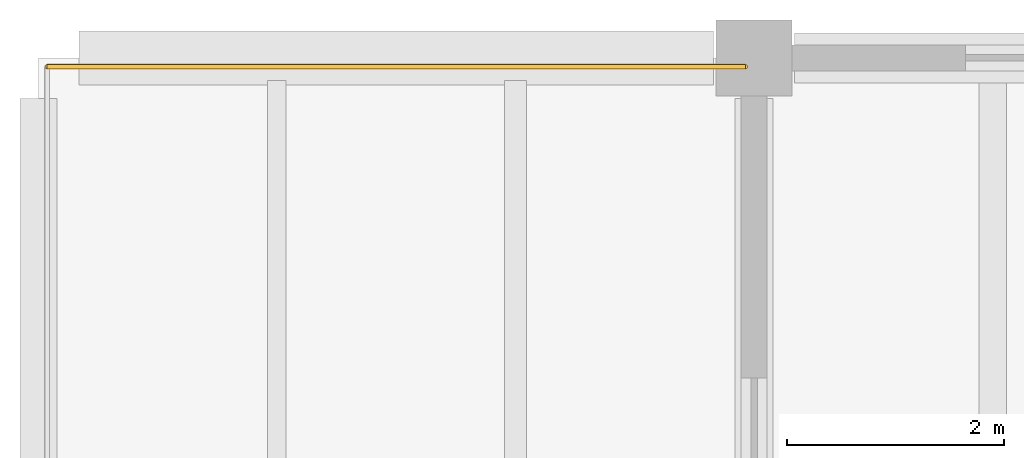
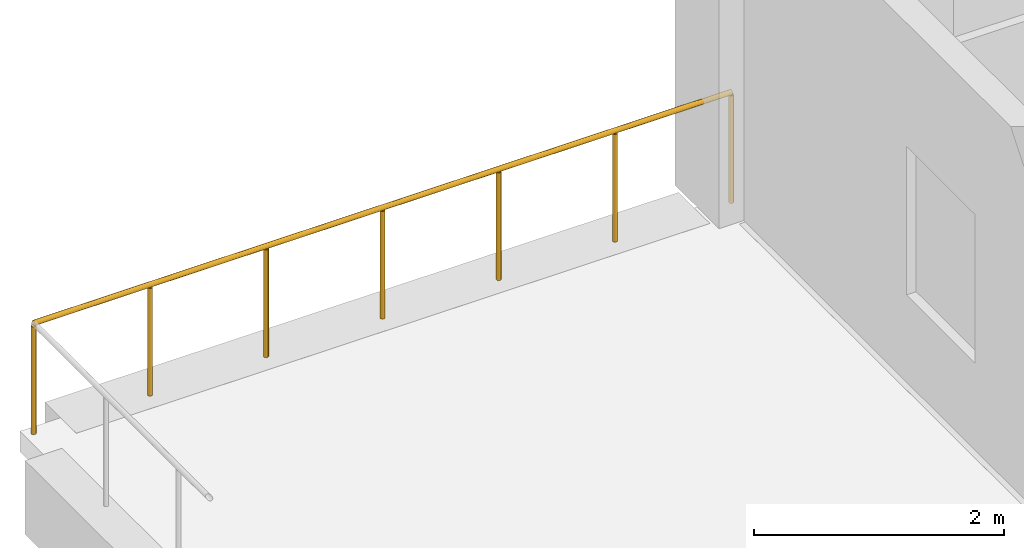
# One storey, part 20 of 20: 1 railing.
"""IFC4 building model written with IfcOpenShell, lengths in metres."""

from ifc_helpers import new_model, si_unit, direction, frame, origin, origin_2d, place, context, subcontext, project, spatial, circle, extrude, material, type_object, element, save


model = new_model("IFC4")

# Units and contexts
model_context = context("Model", 3, precision=1e-05, world=origin(), true_north=direction((0.0, 1.0)))
body_context = subcontext(model_context, "Body", "Model", "MODEL_VIEW")
ifc_project = project(units=[si_unit("LENGTHUNIT", "METRE"), si_unit("AREAUNIT", "SQUARE_METRE"), si_unit("VOLUMEUNIT", "CUBIC_METRE"), si_unit("PLANEANGLEUNIT", "RADIAN"), si_unit("MASSUNIT", "GRAM", prefix="KILO")], contexts=[model_context])

# Site, building, storey
site_placement = place(None, origin())
site = spatial("IfcSite", under=ifc_project, at=site_placement, CompositionType="ELEMENT")
building_placement = place(site_placement, origin())
building = spatial("IfcBuilding", under=site, at=building_placement, Name="Ciguamira Faculty of Natural Sciences", CompositionType="ELEMENT")
storey_placement = place(building_placement, frame((0.0, 0.0, 21.0)))
storey = spatial("IfcBuildingStorey", under=building, at=storey_placement, Name="L05", CompositionType="ELEMENT", Elevation=21.0)

# Railing
ifc_material = material(Name="Stainless steel balustrade", Category="steel")
railing_type = type_object("IfcRailingType", Name="Guardrail_GR01", PredefinedType="GUARDRAIL", material=ifc_material)
railing_placement = place(storey_placement, frame((57.3798828125, 114.919921875, 0.0)))
element("IfcRailing", 1, at=railing_placement, inside=storey, type_object=railing_type, Name="L05 Tower West Setback Terrace north guardrail", PredefinedType="GUARDRAIL", context=body_context, shape_type="SweptSolid", body=[
    extrude(circle(Radius=0.02392578125, at=origin_2d()), frame((0.0, 0.0, 1.076171875), z_axis=(1.0, 0.0, 0.0), x_axis=(0.0, 1.0, 0.0)), (0.0, 0.0, 1.0), 6.440185546875),
    extrude(circle(Radius=0.02099609375, at=origin_2d()), origin(), (0.0, 0.0, 1.0), 1.052001953125),
    extrude(circle(Radius=0.02099609375, at=origin_2d()), frame((1.0732421875, 0.0, 0.0)), (0.0, 0.0, 1.0), 1.052001953125),
    extrude(circle(Radius=0.02099609375, at=origin_2d()), frame((2.146728515625, 0.0, 0.0)), (0.0, 0.0, 1.0), 1.052001953125),
    extrude(circle(Radius=0.02099609375, at=origin_2d()), frame((3.22021484375, 0.0, 0.0)), (0.0, 0.0, 1.0), 1.052001953125),
    extrude(circle(Radius=0.02099609375, at=origin_2d()), frame((4.29345703125, 0.0, 0.0)), (0.0, 0.0, 1.0), 1.052001953125),
    extrude(circle(Radius=0.02099609375, at=origin_2d()), frame((5.36669921875, 0.0, 0.0)), (0.0, 0.0, 1.0), 1.052001953125),
    extrude(circle(Radius=0.02099609375, at=origin_2d()), frame((6.440185546875, 0.0, 0.0)), (0.0, 0.0, 1.0), 1.052001953125),
])

save(model, "model.ifc")
